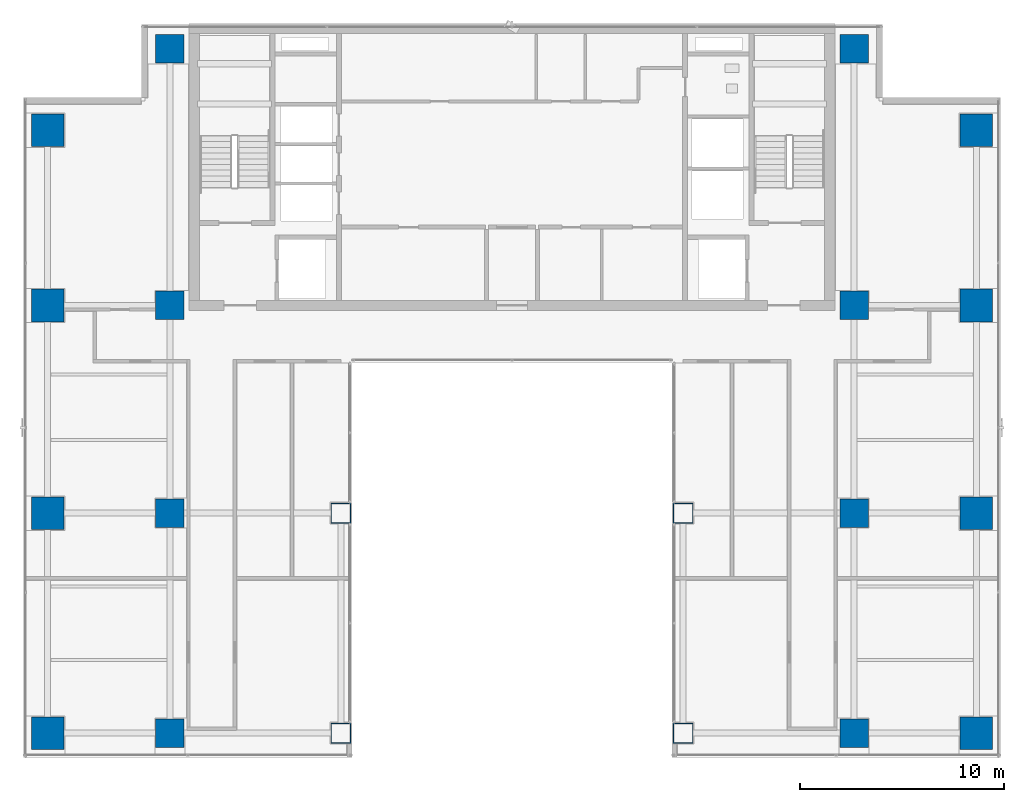
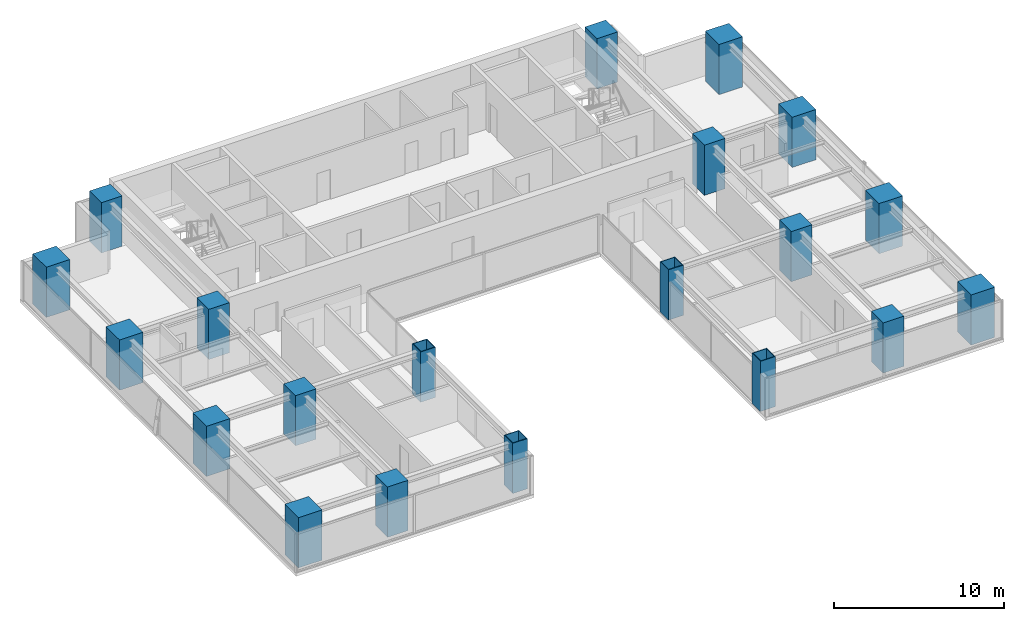
# One storey, part 1 of 29: 20 columns.
"""IFC4 building model written with IfcOpenShell, lengths in metres."""

from ifc_helpers import new_model, si_unit, direction, frame, origin, origin_2d, place, context, subcontext, project, spatial, rectangle, hollow_rectangle, extrude, source, transform, mapped, material, material_profile, profile_set, type_object, element, save


model = new_model("IFC4")

# Units and contexts
model_context = context("Model", 3, precision=1e-05, world=origin(), true_north=direction((0.0, 1.0)))
body_context = subcontext(model_context, "Body", "Model", "MODEL_VIEW")
ifc_project = project(units=[si_unit("LENGTHUNIT", "METRE"), si_unit("AREAUNIT", "SQUARE_METRE"), si_unit("VOLUMEUNIT", "CUBIC_METRE"), si_unit("PLANEANGLEUNIT", "RADIAN"), si_unit("MASSUNIT", "GRAM", prefix="KILO")], contexts=[model_context])

# Site, building, storey
site_placement = place(None, origin())
site = spatial("IfcSite", under=ifc_project, at=site_placement, CompositionType="ELEMENT")
building_placement = place(site_placement, origin())
building = spatial("IfcBuilding", under=site, at=building_placement, Name="Sumidabori Civic Tower", CompositionType="ELEMENT")
storey_placement = place(building_placement, frame((0.0, 0.0, 218.0)))
storey = spatial("IfcBuildingStorey", under=building, at=storey_placement, Name="L56", CompositionType="ELEMENT", Elevation=218.0)

# Columns
ifc_material_1 = material(Name="Concrete C60/75", Category="concrete")
ifc_material_profile_1 = material_profile(ifc_material_1, rectangle(XDim=1.60009765625, YDim=1.60009765625, at=origin_2d()), Name="RC 1600x1600")
ifc_profile_set_1 = profile_set([ifc_material_profile_1], Name="Concrete C60/75")
column_type_1 = type_object("IfcColumnType", Name="CL-MEGA-1600", PredefinedType="COLUMN", material=ifc_profile_set_1)
shared_shape_1 = source(origin(), body_context, "Body", "SweptSolid", [
    extrude(rectangle(XDim=1.60009765625, YDim=1.60009765625, at=origin_2d()), origin(), (0.0, 0.0, 1.0), 3.60009765625),
])
for number, where, z_axis, x_axis, name in (
    (1, (-22.800048828125, -10.800048828125, 0.0), (0.0, 0.0, 1.0), (1.0, 0.0, 0.0), "Column MC-W23-Y11S L56"),
    (2, (-22.800048828125, 0.0, 0.0), (0.0, 0.0, 1.0), (1.0, 0.0, 0.0), "Column MC-W23-Y00 L56"),
    (3, (-22.800048828125, 10.199951171875, 0.0), (0.0, 0.0, 1.0), (1.0, 0.0, 0.0), "Column MC-W23-Y10N L56"),
    (4, (-22.800048828125, 18.800048828125, 0.0), (0.0, 0.0, 1.0), (1.0, 0.0, 0.0), "Column MC-W23-Y19N L56"),
    (5, (22.800048828125, -10.800048828125, 0.0), (0.0, 0.0, 1.0), (1.0, 0.0, 0.0), "Column MC-E23-Y11S L56"),
    (6, (22.800048828125, 0.0, 0.0), (0.0, 0.0, 1.0), (1.0, 0.0, 0.0), "Column MC-E23-Y00 L56"),
    (7, (22.800048828125, 10.199951171875, 0.0), (0.0, 0.0, 1.0), (1.0, 0.0, 0.0), "Column MC-E23-Y10N L56"),
    (8, (22.800048828125, 18.800048828125, 0.0), (0.0, 0.0, 1.0), (1.0, 0.0, 0.0), "Column MC-E23-Y19N L56"),
):
    element("IfcColumn", number, at=place(storey_placement, frame(where, z_axis=z_axis, x_axis=x_axis)), inside=storey, type_object=column_type_1, Name=name, PredefinedType="COLUMN", context=body_context, shape_type="MappedRepresentation", body=[
        mapped(shared_shape_1, transform((0.0, 0.0, 0.0), x_axis=(1.0, 0.0, 0.0), y_axis=(0.0, 1.0, 0.0), z_axis=(0.0, 0.0, 1.0), scale=1.0)),
    ])
ifc_material_2 = material(Name="Steel SM570", Category="steel")
ifc_material_profile_2 = material_profile(ifc_material_2, hollow_rectangle(XDim=1.0, YDim=1.0, WallThickness=0.044921875, at=origin_2d()), Name="SHS 1000x1000x45")
ifc_profile_set_2 = profile_set([ifc_material_profile_2], Name="Steel SM570")
column_type_2 = type_object("IfcColumnType", Name="CL-PORTAL-SHS1000", PredefinedType="COLUMN", material=ifc_profile_set_2)
shared_shape_2 = source(origin(), body_context, "Body", "SweptSolid", [
    extrude(hollow_rectangle(XDim=1.0, YDim=1.0, WallThickness=0.044921875, at=origin_2d()), origin(), (0.0, 0.0, 1.0), 3.60009765625),
])
for number, where, z_axis, x_axis, name in (
    (9, (-8.39990234375, 0.0, 0.0), (0.0, 0.0, 1.0), (1.0, 0.0, 0.0), "Column MC-W08-Y00 L56"),
    (10, (-8.39990234375, -10.800048828125, 0.0), (0.0, 0.0, 1.0), (1.0, 0.0, 0.0), "Column MC-W08-Y11S L56"),
    (11, (8.39990234375, 0.0, 0.0), (0.0, 0.0, 1.0), (1.0, 0.0, 0.0), "Column MC-E08-Y00 L56"),
    (12, (8.39990234375, -10.800048828125, 0.0), (0.0, 0.0, 1.0), (1.0, 0.0, 0.0), "Column MC-E08-Y11S L56"),
):
    element("IfcColumn", number, at=place(storey_placement, frame(where, z_axis=z_axis, x_axis=x_axis)), inside=storey, type_object=column_type_2, Name=name, PredefinedType="COLUMN", context=body_context, shape_type="MappedRepresentation", body=[
        mapped(shared_shape_2, transform((0.0, 0.0, 0.0), x_axis=(1.0, 0.0, 0.0), y_axis=(0.0, 1.0, 0.0), z_axis=(0.0, 0.0, 1.0), scale=1.0)),
    ])
ifc_material_profile_3 = material_profile(ifc_material_1, rectangle(XDim=1.39990234375, YDim=1.39990234375, at=origin_2d()), Name="RC 1400x1400")
ifc_profile_set_3 = profile_set([ifc_material_profile_3], Name="Concrete C60/75")
column_type_3 = type_object("IfcColumnType", Name="CL-MEGA-1400", PredefinedType="COLUMN", material=ifc_profile_set_3)
shared_shape_3 = source(origin(), body_context, "Body", "SweptSolid", [
    extrude(rectangle(XDim=1.39990234375, YDim=1.39990234375, at=origin_2d()), origin(), (0.0, 0.0, 1.0), 3.60009765625),
])
for number, where, z_axis, x_axis, name in (
    (13, (-16.800048828125, -10.800048828125, 0.0), (0.0, 0.0, 1.0), (1.0, 0.0, 0.0), "Column MC-W16-Y11S L56"),
    (14, (-16.800048828125, 0.0, 0.0), (0.0, 0.0, 1.0), (1.0, 0.0, 0.0), "Column MC-W16-Y00 L56"),
    (15, (-16.800048828125, 10.199951171875, 0.0), (0.0, 0.0, 1.0), (1.0, 0.0, 0.0), "Column MC-W16-Y10N L56"),
    (16, (-16.800048828125, 22.800048828125, 0.0), (0.0, 0.0, 1.0), (1.0, 0.0, 0.0), "Column MC-W16-Y23N L56"),
    (17, (16.800048828125, -10.800048828125, 0.0), (0.0, 0.0, 1.0), (1.0, 0.0, 0.0), "Column MC-E16-Y11S L56"),
    (18, (16.800048828125, 0.0, 0.0), (0.0, 0.0, 1.0), (1.0, 0.0, 0.0), "Column MC-E16-Y00 L56"),
    (19, (16.800048828125, 10.199951171875, 0.0), (0.0, 0.0, 1.0), (1.0, 0.0, 0.0), "Column MC-E16-Y10N L56"),
    (20, (16.800048828125, 22.800048828125, 0.0), (0.0, 0.0, 1.0), (1.0, 0.0, 0.0), "Column MC-E16-Y23N L56"),
):
    element("IfcColumn", number, at=place(storey_placement, frame(where, z_axis=z_axis, x_axis=x_axis)), inside=storey, type_object=column_type_3, Name=name, PredefinedType="COLUMN", context=body_context, shape_type="MappedRepresentation", body=[
        mapped(shared_shape_3, transform((0.0, 0.0, 0.0), x_axis=(1.0, 0.0, 0.0), y_axis=(0.0, 1.0, 0.0), z_axis=(0.0, 0.0, 1.0), scale=1.0)),
    ])

save(model, "model.ifc")
